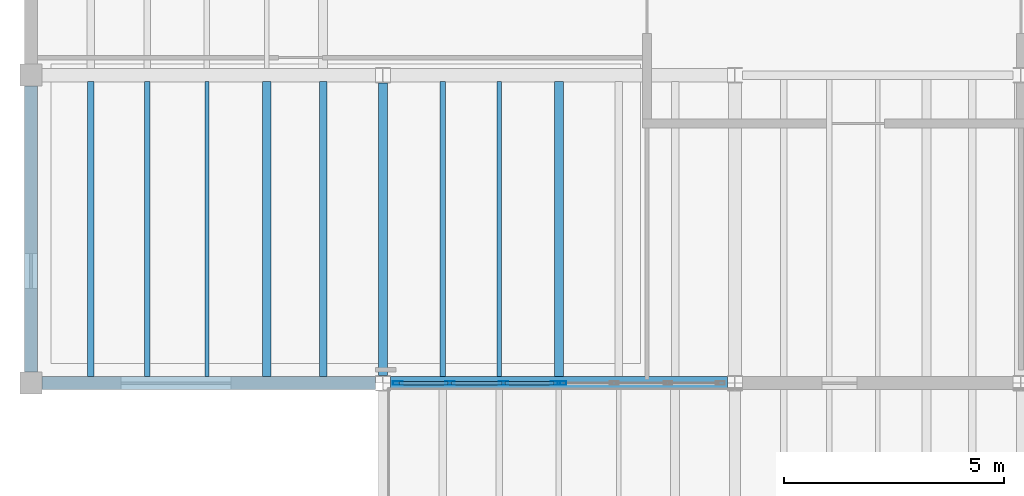
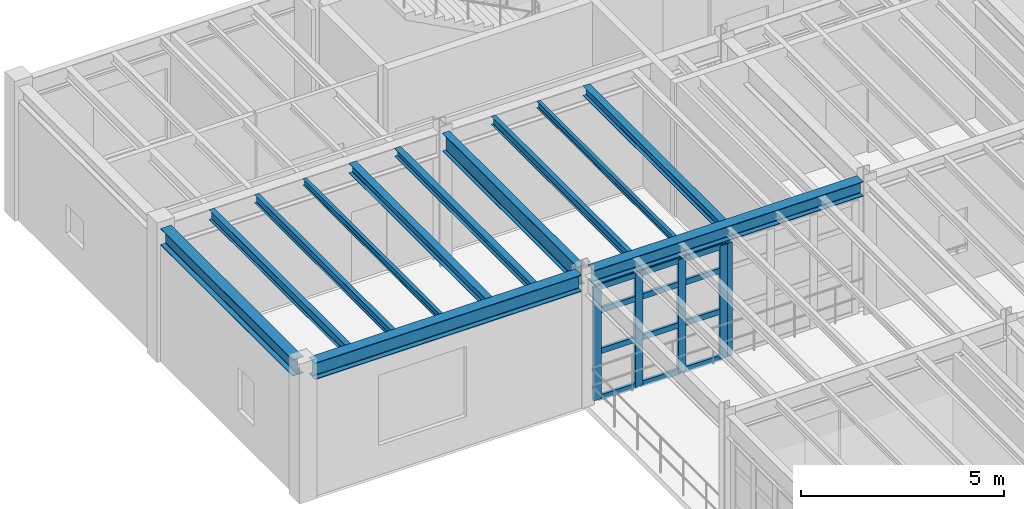
# One storey, part 12 of 27: 17 members, 12 beams, 2 elements without a shape of their own.
"""IFC4 building model written with IfcOpenShell, lengths in metres."""

from ifc_helpers import new_model, si_unit, direction, frame, origin, origin_2d, place, context, subcontext, project, spatial, hollow_rectangle, i_section, extrude, material, material_profile, profile_set, type_object, element, aggregate, save


model = new_model("IFC4")

# Units and contexts
model_context = context("Model", 3, precision=1e-05, world=origin(), true_north=direction((0.0, 1.0)))
body_context = subcontext(model_context, "Body", "Model", "MODEL_VIEW")
ifc_project = project(units=[si_unit("LENGTHUNIT", "METRE"), si_unit("AREAUNIT", "SQUARE_METRE"), si_unit("VOLUMEUNIT", "CUBIC_METRE"), si_unit("PLANEANGLEUNIT", "RADIAN"), si_unit("MASSUNIT", "GRAM", prefix="KILO"), si_unit("THERMODYNAMICTEMPERATUREUNIT", "KELVIN"), si_unit("POWERUNIT", "WATT")], contexts=[model_context])

# Site, building, storey
site_placement = place(None, origin())
site = spatial("IfcSite", under=ifc_project, at=site_placement, CompositionType="ELEMENT")
building_placement = place(site_placement, origin())
building = spatial("IfcBuilding", under=site, at=building_placement, Name="Zhenchuan Central Fire Station", CompositionType="ELEMENT")
storey_placement = place(building_placement, frame((0.0, 0.0, 14.25)))
storey = spatial("IfcBuildingStorey", under=building, at=storey_placement, Name="L04", CompositionType="ELEMENT", Elevation=14.25)

# Beams
ifc_material_1 = material(Name="Steel Q355B", Category="steel")
ifc_material_profile_1 = material_profile(ifc_material_1, i_section(OverallWidth=0.300048828125, OverallDepth=0.43994140625, WebThickness=0.010986328125, FlangeThickness=0.01806640625, FilletRadius=0.02197265625, at=origin_2d()), Name="HM 440x300")
ifc_profile_set_1 = profile_set([ifc_material_profile_1], Name="Steel Q355B")
beam_type_1 = type_object("IfcBeamType", Name="BM-HM440-INT", PredefinedType="BEAM", material=ifc_profile_set_1)
beam_1_placement = place(storey_placement, frame((140.175048828125, 42.5, 3.780029296875), z_axis=(1.0, 0.0, 0.0), x_axis=(0.0, 1.0, 0.0)))
element("IfcBeam", 1, at=beam_1_placement, inside=storey, type_object=beam_type_1, Name="L05 Girder EW 0447", PredefinedType="BEAM", context=body_context, shape_type="SweptSolid", body=[
    extrude(i_section(OverallWidth=0.300048828125, OverallDepth=0.43994140625, WebThickness=0.010986328125, FlangeThickness=0.01806640625, FilletRadius=0.02197265625, at=origin_2d()), origin(), (0.0, 0.0, 1.0), 7.64990234375),
])
ifc_material_profile_2 = material_profile(ifc_material_1, i_section(OverallWidth=0.300048828125, OverallDepth=0.5, WebThickness=0.010986328125, FlangeThickness=0.01806640625, FilletRadius=0.02197265625, at=origin_2d()), Name="HM 500x300")
ifc_profile_set_2 = profile_set([ifc_material_profile_2], Name="Steel Q355B")
beam_type_2 = type_object("IfcBeamType", Name="BM-HM500-INT", PredefinedType="BEAM", material=ifc_profile_set_2)
beam_2_placement = place(storey_placement, frame((132.25, 42.5, 3.75), z_axis=(1.0, 0.0, 0.0), x_axis=(0.0, 1.0, 0.0)))
element("IfcBeam", 2, at=beam_2_placement, inside=storey, type_object=beam_type_2, Name="L05 Girder EW 0446", PredefinedType="BEAM", context=body_context, shape_type="SweptSolid", body=[
    extrude(i_section(OverallWidth=0.300048828125, OverallDepth=0.5, WebThickness=0.010986328125, FlangeThickness=0.01806640625, FilletRadius=0.02197265625, at=origin_2d()), origin(), (0.0, 0.0, 1.0), 7.574951171875),
])
beam_3_placement = place(storey_placement, frame((132.0, 42.75, 3.75), z_axis=(0.0, 1.0, 0.0), x_axis=(-1.0, 0.0, 0.0)))
element("IfcBeam", 3, at=beam_3_placement, inside=storey, type_object=beam_type_2, Name="L05 Girder NS 0457", PredefinedType="BEAM", context=body_context, shape_type="SweptSolid", body=[
    extrude(i_section(OverallWidth=0.300048828125, OverallDepth=0.5, WebThickness=0.010986328125, FlangeThickness=0.01806640625, FilletRadius=0.02197265625, at=origin_2d()), origin(), (0.0, 0.0, 1.0), 6.5),
])
ifc_material_profile_3 = material_profile(ifc_material_1, i_section(OverallWidth=0.199951171875, OverallDepth=0.550048828125, WebThickness=0.010009765625, FlangeThickness=0.01611328125, FilletRadius=0.02001953125, at=origin_2d()), Name="HN 550x200")
ifc_profile_set_3 = profile_set([ifc_material_profile_3], Name="Steel Q355B")
beam_type_3 = type_object("IfcBeamType", Name="BM-HN550-INT", PredefinedType="BEAM", material=ifc_profile_set_3)
beam_4_placement = place(storey_placement, frame((140.0, 42.675048828125, 3.72509765625), z_axis=(0.0, 1.0, 0.0), x_axis=(-1.0, 0.0, 0.0)))
element("IfcBeam", 4, at=beam_4_placement, inside=storey, type_object=beam_type_3, Name="L05 Girder NS 0465", PredefinedType="BEAM", context=body_context, shape_type="SweptSolid", body=[
    extrude(i_section(OverallWidth=0.199951171875, OverallDepth=0.550048828125, WebThickness=0.010009765625, FlangeThickness=0.01611328125, FilletRadius=0.02001953125, at=origin_2d()), origin(), (0.0, 0.0, 1.0), 6.64990234375),
])

# Curtain wall, member
ifc_material_2 = material(Name="Anodised aluminium and low-E glazing", Category="aluminium")
curtain_wall_type_1 = type_object("IfcCurtainWallType", Name="CW-MOD-01", PredefinedType="USERDEFINED", material=ifc_material_2)
curtain_wall_1_placement = place(storey_placement, origin())
curtain_wall_1 = element("IfcCurtainWall", 5, at=curtain_wall_1_placement, inside=storey, type_object=curtain_wall_type_1, Name="L04 Unitised Curtain Wall 149", ObjectType="UNITISED GLAZING", PredefinedType="USERDEFINED")
ifc_material_3 = material(Name="Anodised aluminium EN AW-6063", Category="aluminium")
ifc_material_profile_4 = material_profile(ifc_material_3, hollow_rectangle(XDim=0.074951171875, YDim=0.199951171875, WallThickness=0.0048828125, at=origin_2d()), Name="ALU-M 200x75")
ifc_profile_set_4 = profile_set([ifc_material_profile_4], Name="Anodised aluminium EN AW-6063")
member_type_1 = type_object("IfcMemberType", Name="CW-MUL160", PredefinedType="MULLION", material=ifc_profile_set_4)
member_1_placement = place(storey_placement, frame((144.070556640625, 42.5, -0.00390625), z_axis=(0.0, 0.0, 1.0), x_axis=(0.0, 1.0, 0.0)))
member_1 = element("IfcMember", 6, at=member_1_placement, type_object=member_type_1, Name="CW-01 mullion 1", PredefinedType="MULLION", context=body_context, shape_type="SweptSolid", body=[
    extrude(hollow_rectangle(XDim=0.074951171875, YDim=0.199951171875, WallThickness=0.0048828125, at=origin_2d()), origin(), (0.0, 0.0, 1.0), 3.40380859375),
])
aggregate(curtain_wall_1, [member_1])

# Curtain wall, members
curtain_wall_type_2 = type_object("IfcCurtainWallType", Name="CW-MOD-22", PredefinedType="USERDEFINED", material=ifc_material_2)
curtain_wall_2_placement = place(storey_placement, origin())
curtain_wall_2 = element("IfcCurtainWall", 7, at=curtain_wall_2_placement, inside=storey, type_object=curtain_wall_type_2, Name="L04 Unitised Curtain Wall 148", ObjectType="UNITISED GLAZING", PredefinedType="USERDEFINED")
ifc_material_profile_5 = material_profile(ifc_material_3, hollow_rectangle(XDim=0.080078125, YDim=0.219970703125, WallThickness=0.005615234375, at=origin_2d()), Name="ALU-M 220x80")
ifc_profile_set_5 = profile_set([ifc_material_profile_5], Name="Anodised aluminium EN AW-6063")
member_type_2 = type_object("IfcMemberType", Name="CW-MUL200", PredefinedType="MULLION", material=ifc_profile_set_5)
member_2_placement = place(storey_placement, frame((140.33740234375, 42.5, -0.00390625), z_axis=(0.0, 0.0, 1.0), x_axis=(0.0, 1.0, 0.0)))
member_2 = element("IfcMember", 8, at=member_2_placement, type_object=member_type_2, Name="CW-22 mullion 1", PredefinedType="MULLION", context=body_context, shape_type="SweptSolid", body=[
    extrude(hollow_rectangle(XDim=0.080078125, YDim=0.219970703125, WallThickness=0.005615234375, at=origin_2d()), origin(), (0.0, 0.0, 1.0), 3.40380859375),
])
member_3_placement = place(storey_placement, frame((141.520751953125, 42.5, -0.00390625), z_axis=(0.0, 0.0, 1.0), x_axis=(0.0, 1.0, 0.0)))
member_3 = element("IfcMember", 9, at=member_3_placement, type_object=member_type_2, Name="CW-22 mullion 2", PredefinedType="MULLION", context=body_context, shape_type="SweptSolid", body=[
    extrude(hollow_rectangle(XDim=0.080078125, YDim=0.219970703125, WallThickness=0.005615234375, at=origin_2d()), origin(), (0.0, 0.0, 1.0), 3.40380859375),
])
member_4_placement = place(storey_placement, frame((142.741455078125, 42.5, -0.00390625), z_axis=(0.0, 0.0, 1.0), x_axis=(0.0, 1.0, 0.0)))
member_4 = element("IfcMember", 10, at=member_4_placement, type_object=member_type_2, Name="CW-22 mullion 3", PredefinedType="MULLION", context=body_context, shape_type="SweptSolid", body=[
    extrude(hollow_rectangle(XDim=0.080078125, YDim=0.219970703125, WallThickness=0.005615234375, at=origin_2d()), origin(), (0.0, 0.0, 1.0), 3.40380859375),
])
member_5_placement = place(storey_placement, frame((143.924560546875, 42.5, -0.00390625), z_axis=(0.0, 0.0, 1.0), x_axis=(0.0, 1.0, 0.0)))
member_5 = element("IfcMember", 11, at=member_5_placement, type_object=member_type_2, Name="CW-22 mullion 4", PredefinedType="MULLION", context=body_context, shape_type="SweptSolid", body=[
    extrude(hollow_rectangle(XDim=0.080078125, YDim=0.219970703125, WallThickness=0.005615234375, at=origin_2d()), origin(), (0.0, 0.0, 1.0), 3.40380859375),
])
ifc_material_profile_6 = material_profile(ifc_material_3, hollow_rectangle(XDim=0.080078125, YDim=0.1650390625, WallThickness=0.0048828125, at=origin_2d()), Name="ALU-T 165x80")
ifc_profile_set_6 = profile_set([ifc_material_profile_6], Name="Anodised aluminium EN AW-6063")
member_type_3 = type_object("IfcMemberType", Name="CW-TRN150", PredefinedType="NOTDEFINED", material=ifc_profile_set_6)
member_6_placement = place(storey_placement, frame((140.375, 42.5, 0.033447265625), z_axis=(1.0, 0.0, 0.0), x_axis=(0.0, 1.0, 0.0)))
member_6 = element("IfcMember", 12, at=member_6_placement, type_object=member_type_3, Name="CW-22 transom 1.1", ObjectType="TRANSOM", PredefinedType="USERDEFINED", context=body_context, shape_type="SweptSolid", body=[
    extrude(hollow_rectangle(XDim=0.080078125, YDim=0.1650390625, WallThickness=0.0048828125, at=origin_2d()), origin(), (0.0, 0.0, 1.0), 1.108154296875),
])
member_7_placement = place(storey_placement, frame((140.375, 42.5, 1.427978515625), z_axis=(1.0, 0.0, 0.0), x_axis=(0.0, 1.0, 0.0)))
member_7 = element("IfcMember", 13, at=member_7_placement, type_object=member_type_3, Name="CW-22 transom 1.2", ObjectType="TRANSOM", PredefinedType="USERDEFINED", context=body_context, shape_type="SweptSolid", body=[
    extrude(hollow_rectangle(XDim=0.080078125, YDim=0.1650390625, WallThickness=0.0048828125, at=origin_2d()), origin(), (0.0, 0.0, 1.0), 1.108154296875),
])
member_8_placement = place(storey_placement, frame((140.375, 42.5, 2.652099609375), z_axis=(1.0, 0.0, 0.0), x_axis=(0.0, 1.0, 0.0)))
member_8 = element("IfcMember", 14, at=member_8_placement, type_object=member_type_3, Name="CW-22 transom 1.3", ObjectType="TRANSOM", PredefinedType="USERDEFINED", context=body_context, shape_type="SweptSolid", body=[
    extrude(hollow_rectangle(XDim=0.080078125, YDim=0.1650390625, WallThickness=0.0048828125, at=origin_2d()), origin(), (0.0, 0.0, 1.0), 1.108154296875),
])
member_9_placement = place(storey_placement, frame((140.375, 42.5, 3.362548828125), z_axis=(1.0, 0.0, 0.0), x_axis=(0.0, 1.0, 0.0)))
member_9 = element("IfcMember", 15, at=member_9_placement, type_object=member_type_3, Name="CW-22 transom 1.4", ObjectType="TRANSOM", PredefinedType="USERDEFINED", context=body_context, shape_type="SweptSolid", body=[
    extrude(hollow_rectangle(XDim=0.080078125, YDim=0.1650390625, WallThickness=0.0048828125, at=origin_2d()), origin(), (0.0, 0.0, 1.0), 1.108154296875),
])
member_10_placement = place(storey_placement, frame((141.55810546875, 42.5, 0.033447265625), z_axis=(1.0, 0.0, 0.0), x_axis=(0.0, 1.0, 0.0)))
member_10 = element("IfcMember", 16, at=member_10_placement, type_object=member_type_3, Name="CW-22 transom 2.1", ObjectType="TRANSOM", PredefinedType="USERDEFINED", context=body_context, shape_type="SweptSolid", body=[
    extrude(hollow_rectangle(XDim=0.080078125, YDim=0.1650390625, WallThickness=0.0048828125, at=origin_2d()), origin(), (0.0, 0.0, 1.0), 1.145751953125),
])
member_11_placement = place(storey_placement, frame((141.55810546875, 42.5, 1.427978515625), z_axis=(1.0, 0.0, 0.0), x_axis=(0.0, 1.0, 0.0)))
member_11 = element("IfcMember", 17, at=member_11_placement, type_object=member_type_3, Name="CW-22 transom 2.2", ObjectType="TRANSOM", PredefinedType="USERDEFINED", context=body_context, shape_type="SweptSolid", body=[
    extrude(hollow_rectangle(XDim=0.080078125, YDim=0.1650390625, WallThickness=0.0048828125, at=origin_2d()), origin(), (0.0, 0.0, 1.0), 1.145751953125),
])
member_12_placement = place(storey_placement, frame((141.55810546875, 42.5, 2.652099609375), z_axis=(1.0, 0.0, 0.0), x_axis=(0.0, 1.0, 0.0)))
member_12 = element("IfcMember", 18, at=member_12_placement, type_object=member_type_3, Name="CW-22 transom 2.3", ObjectType="TRANSOM", PredefinedType="USERDEFINED", context=body_context, shape_type="SweptSolid", body=[
    extrude(hollow_rectangle(XDim=0.080078125, YDim=0.1650390625, WallThickness=0.0048828125, at=origin_2d()), origin(), (0.0, 0.0, 1.0), 1.145751953125),
])
member_13_placement = place(storey_placement, frame((141.55810546875, 42.5, 3.362548828125), z_axis=(1.0, 0.0, 0.0), x_axis=(0.0, 1.0, 0.0)))
member_13 = element("IfcMember", 19, at=member_13_placement, type_object=member_type_3, Name="CW-22 transom 2.4", ObjectType="TRANSOM", PredefinedType="USERDEFINED", context=body_context, shape_type="SweptSolid", body=[
    extrude(hollow_rectangle(XDim=0.080078125, YDim=0.1650390625, WallThickness=0.0048828125, at=origin_2d()), origin(), (0.0, 0.0, 1.0), 1.145751953125),
])
member_14_placement = place(storey_placement, frame((142.77880859375, 42.5, 0.033447265625), z_axis=(1.0, 0.0, 0.0), x_axis=(0.0, 1.0, 0.0)))
member_14 = element("IfcMember", 20, at=member_14_placement, type_object=member_type_3, Name="CW-22 transom 3.1", ObjectType="TRANSOM", PredefinedType="USERDEFINED", context=body_context, shape_type="SweptSolid", body=[
    extrude(hollow_rectangle(XDim=0.080078125, YDim=0.1650390625, WallThickness=0.0048828125, at=origin_2d()), origin(), (0.0, 0.0, 1.0), 1.108154296875),
])
member_15_placement = place(storey_placement, frame((142.77880859375, 42.5, 1.427978515625), z_axis=(1.0, 0.0, 0.0), x_axis=(0.0, 1.0, 0.0)))
member_15 = element("IfcMember", 21, at=member_15_placement, type_object=member_type_3, Name="CW-22 transom 3.2", ObjectType="TRANSOM", PredefinedType="USERDEFINED", context=body_context, shape_type="SweptSolid", body=[
    extrude(hollow_rectangle(XDim=0.080078125, YDim=0.1650390625, WallThickness=0.0048828125, at=origin_2d()), origin(), (0.0, 0.0, 1.0), 1.108154296875),
])
member_16_placement = place(storey_placement, frame((142.77880859375, 42.5, 2.652099609375), z_axis=(1.0, 0.0, 0.0), x_axis=(0.0, 1.0, 0.0)))
member_16 = element("IfcMember", 22, at=member_16_placement, type_object=member_type_3, Name="CW-22 transom 3.3", ObjectType="TRANSOM", PredefinedType="USERDEFINED", context=body_context, shape_type="SweptSolid", body=[
    extrude(hollow_rectangle(XDim=0.080078125, YDim=0.1650390625, WallThickness=0.0048828125, at=origin_2d()), origin(), (0.0, 0.0, 1.0), 1.108154296875),
])
member_17_placement = place(storey_placement, frame((142.77880859375, 42.5, 3.362548828125), z_axis=(1.0, 0.0, 0.0), x_axis=(0.0, 1.0, 0.0)))
member_17 = element("IfcMember", 23, at=member_17_placement, type_object=member_type_3, Name="CW-22 transom 3.4", ObjectType="TRANSOM", PredefinedType="USERDEFINED", context=body_context, shape_type="SweptSolid", body=[
    extrude(hollow_rectangle(XDim=0.080078125, YDim=0.1650390625, WallThickness=0.0048828125, at=origin_2d()), origin(), (0.0, 0.0, 1.0), 1.108154296875),
])
aggregate(curtain_wall_2, [member_2, member_3, member_4, member_5, member_6, member_7, member_8, member_9, member_10, member_11, member_12, member_13, member_14, member_15, member_16, member_17])

# Beams
ifc_material_profile_7 = material_profile(ifc_material_1, i_section(OverallWidth=0.175048828125, OverallDepth=0.243896484375, WebThickness=0.007080078125, FlangeThickness=0.010986328125, FilletRadius=0.012939453125, at=origin_2d()), Name="HM 244x175")
ifc_profile_set_7 = profile_set([ifc_material_profile_7], Name="Steel Q355B")
beam_type_4 = type_object("IfcBeamType", Name="JS-HM244", PredefinedType="JOIST", material=ifc_profile_set_7)
beam_5_placement = place(storey_placement, frame((138.639892578125, 42.64697265625, 3.8779296875), z_axis=(0.0, 1.0, 0.0), x_axis=(-1.0, 0.0, 0.0)))
element("IfcBeam", 24, at=beam_5_placement, inside=storey, type_object=beam_type_4, Name="L05 Secondary Joist 0770", PredefinedType="JOIST", context=body_context, shape_type="SweptSolid", body=[
    extrude(i_section(OverallWidth=0.175048828125, OverallDepth=0.243896484375, WebThickness=0.007080078125, FlangeThickness=0.010986328125, FilletRadius=0.012939453125, at=origin_2d()), origin(), (0.0, 0.0, 1.0), 6.7060546875),
])
ifc_material_profile_8 = material_profile(ifc_material_1, i_section(OverallWidth=0.199951171875, OverallDepth=0.2939453125, WebThickness=0.008056640625, FlangeThickness=0.011962890625, FilletRadius=0.01611328125, at=origin_2d()), Name="HM 294x200")
ifc_profile_set_8 = profile_set([ifc_material_profile_8], Name="Steel Q355B")
beam_type_5 = type_object("IfcBeamType", Name="JS-HM294", PredefinedType="JOIST", material=ifc_profile_set_8)
for number, where, z_axis, x_axis, name in (
    (25, (137.360107421875, 42.64697265625, 3.85302734375), (0.0, 1.0, 0.0), (-1.0, 0.0, 0.0), "L05 Secondary Joist 0769"),
    (26, (144.0, 42.64697265625, 3.85302734375), (0.0, 1.0, 0.0), (-1.0, 0.0, 0.0), "L05 Secondary Joist 0773"),
):
    element("IfcBeam", number, at=place(storey_placement, frame(where, z_axis=z_axis, x_axis=x_axis)), inside=storey, type_object=beam_type_5, Name=name, PredefinedType="JOIST", context=body_context, shape_type="SweptSolid", body=[
        extrude(i_section(OverallWidth=0.199951171875, OverallDepth=0.2939453125, WebThickness=0.008056640625, FlangeThickness=0.011962890625, FilletRadius=0.01611328125, at=origin_2d()), origin(), (0.0, 0.0, 1.0), 6.7060546875),
    ])
ifc_material_profile_9 = material_profile(ifc_material_1, i_section(OverallWidth=0.10009765625, OverallDepth=0.199951171875, WebThickness=0.005615234375, FlangeThickness=0.008056640625, FilletRadius=0.010986328125, at=origin_2d()), Name="HN 200x100")
ifc_profile_set_9 = profile_set([ifc_material_profile_9], Name="Steel Q355B")
beam_type_6 = type_object("IfcBeamType", Name="JS-HN200", PredefinedType="JOIST", material=ifc_profile_set_9)
for number, where, z_axis, x_axis, name in (
    (27, (136.0, 42.64697265625, 3.89990234375), (0.0, 1.0, 0.0), (-1.0, 0.0, 0.0), "L05 Secondary Joist 0768"),
    (28, (142.639892578125, 42.64697265625, 3.89990234375), (0.0, 1.0, 0.0), (-1.0, 0.0, 0.0), "L05 Secondary Joist 0772"),
):
    element("IfcBeam", number, at=place(storey_placement, frame(where, z_axis=z_axis, x_axis=x_axis)), inside=storey, type_object=beam_type_6, Name=name, PredefinedType="JOIST", context=body_context, shape_type="SweptSolid", body=[
        extrude(i_section(OverallWidth=0.10009765625, OverallDepth=0.199951171875, WebThickness=0.005615234375, FlangeThickness=0.008056640625, FilletRadius=0.010986328125, at=origin_2d()), origin(), (0.0, 0.0, 1.0), 6.7060546875),
    ])
ifc_material_profile_10 = material_profile(ifc_material_1, i_section(OverallWidth=0.125, OverallDepth=0.25, WebThickness=0.006103515625, FlangeThickness=0.009033203125, FilletRadius=0.011962890625, at=origin_2d()), Name="HN 250x125")
ifc_profile_set_10 = profile_set([ifc_material_profile_10], Name="Steel Q355B")
beam_type_7 = type_object("IfcBeamType", Name="JS-HN250", PredefinedType="JOIST", material=ifc_profile_set_10)
for number, where, z_axis, x_axis, name in (
    (29, (134.639892578125, 42.64697265625, 3.875), (0.0, 1.0, 0.0), (-1.0, 0.0, 0.0), "L05 Secondary Joist 0767"),
    (30, (141.360107421875, 42.64697265625, 3.875), (0.0, 1.0, 0.0), (-1.0, 0.0, 0.0), "L05 Secondary Joist 0771"),
):
    element("IfcBeam", number, at=place(storey_placement, frame(where, z_axis=z_axis, x_axis=x_axis)), inside=storey, type_object=beam_type_7, Name=name, PredefinedType="JOIST", context=body_context, shape_type="SweptSolid", body=[
        extrude(i_section(OverallWidth=0.125, OverallDepth=0.25, WebThickness=0.006103515625, FlangeThickness=0.009033203125, FilletRadius=0.011962890625, at=origin_2d()), origin(), (0.0, 0.0, 1.0), 6.7060546875),
    ])
ifc_material_profile_11 = material_profile(ifc_material_1, i_section(OverallWidth=0.14990234375, OverallDepth=0.300048828125, WebThickness=0.006591796875, FlangeThickness=0.009033203125, FilletRadius=0.012939453125, at=origin_2d()), Name="HN 300x150")
ifc_profile_set_11 = profile_set([ifc_material_profile_11], Name="Steel Q355B")
beam_type_8 = type_object("IfcBeamType", Name="JS-HN300", PredefinedType="JOIST", material=ifc_profile_set_11)
beam_6_placement = place(storey_placement, frame((133.360107421875, 42.64697265625, 3.85009765625), z_axis=(0.0, 1.0, 0.0), x_axis=(-1.0, 0.0, 0.0)))
element("IfcBeam", 31, at=beam_6_placement, inside=storey, type_object=beam_type_8, Name="L05 Secondary Joist 0766", PredefinedType="JOIST", context=body_context, shape_type="SweptSolid", body=[
    extrude(i_section(OverallWidth=0.14990234375, OverallDepth=0.300048828125, WebThickness=0.006591796875, FlangeThickness=0.009033203125, FilletRadius=0.012939453125, at=origin_2d()), origin(), (0.0, 0.0, 1.0), 6.7060546875),
])

save(model, "model.ifc")
